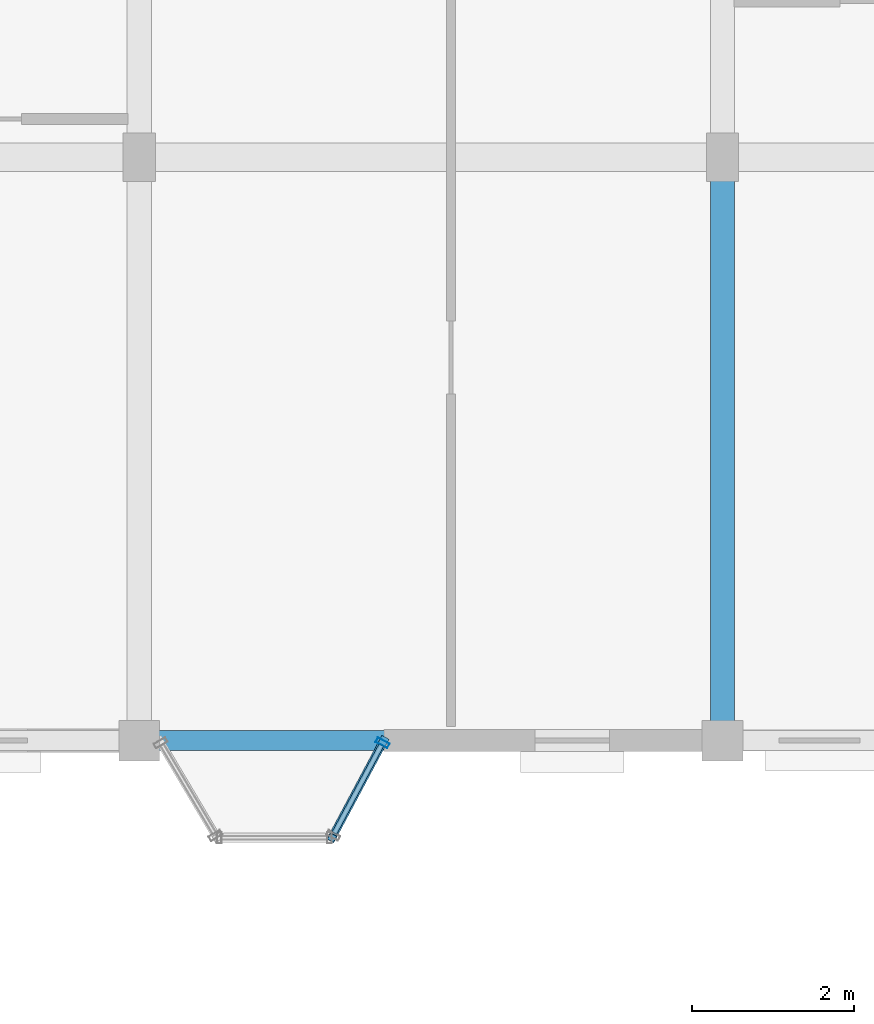
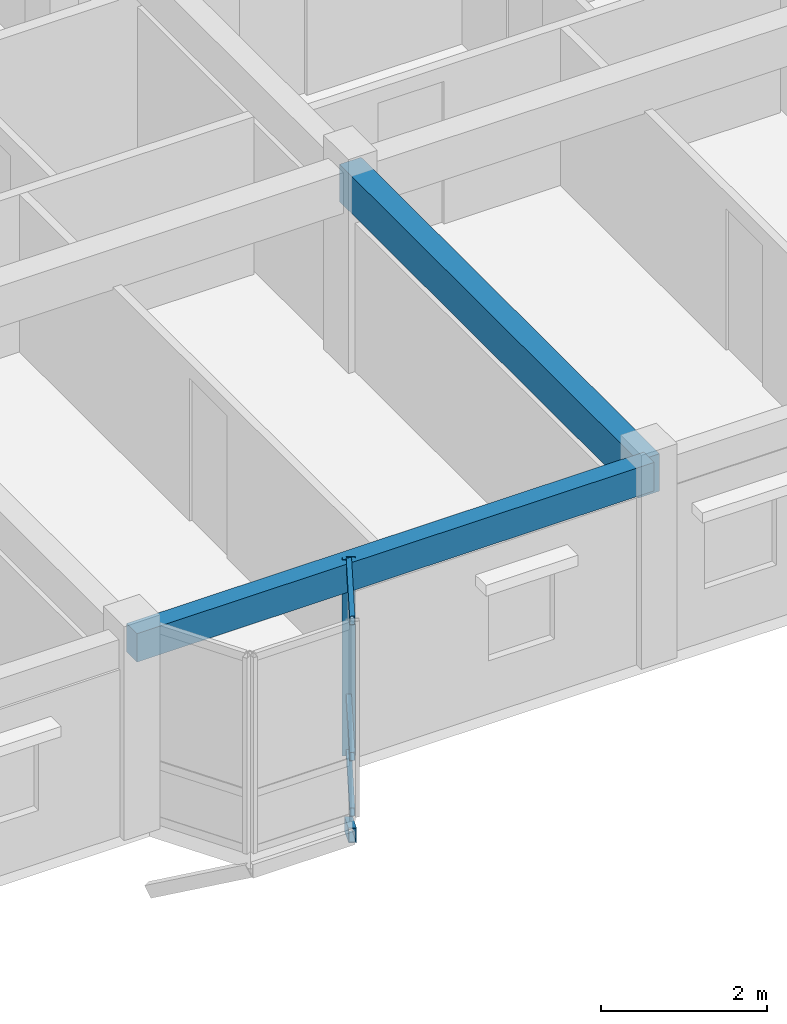
# One storey, part 29 of 64: 5 members, 2 beams, 1 element without a shape of its own.
"""IFC4 building model written with IfcOpenShell, lengths in metres."""

from ifc_helpers import new_model, si_unit, direction, frame, origin, origin_2d, place, context, subcontext, project, spatial, rectangle, hollow_rectangle, extrude, material, layer, layer_set, material_profile, profile_set, type_object, element, aggregate, save


model = new_model("IFC4")

# Units and contexts
model_context = context("Model", 3, precision=1e-05, world=origin(), true_north=direction((0.0, 1.0)))
body_context = subcontext(model_context, "Body", "Model", "MODEL_VIEW")
ifc_project = project(units=[si_unit("LENGTHUNIT", "METRE"), si_unit("AREAUNIT", "SQUARE_METRE"), si_unit("VOLUMEUNIT", "CUBIC_METRE"), si_unit("PLANEANGLEUNIT", "RADIAN"), si_unit("MASSUNIT", "GRAM", prefix="KILO"), si_unit("THERMODYNAMICTEMPERATUREUNIT", "KELVIN"), si_unit("POWERUNIT", "WATT")], contexts=[model_context])

# Site, building, storey
site_placement = place(None, origin())
site = spatial("IfcSite", under=ifc_project, at=site_placement, CompositionType="ELEMENT")
building_placement = place(site_placement, origin())
building = spatial("IfcBuilding", under=site, at=building_placement, Name="Tavuni Mirador Residences", CompositionType="ELEMENT")
storey_placement = place(building_placement, frame((0.0, 0.0, 26.550048828125)))
storey = spatial("IfcBuildingStorey", under=building, at=storey_placement, Name="L08", CompositionType="ELEMENT", Elevation=26.550048828125)

# Beams
ifc_material_1 = material(Name="Precast concrete C40/50", Category="concrete")
ifc_material_profile_1 = material_profile(ifc_material_1, rectangle(XDim=0.300048828125, YDim=0.550048828125, at=origin_2d()), Name="PC 300x550", Category="concrete")
ifc_profile_set_1 = profile_set([ifc_material_profile_1], Name="Precast concrete C40/50")
beam_type_1 = type_object("IfcBeamType", Name="BT-B550", PredefinedType="BEAM", material=ifc_profile_set_1)
beam_1_placement = place(storey_placement, frame((39.60009765625, 144.0, 2.60986328125), z_axis=(0.0, 1.0, 0.0), x_axis=(-1.0, 0.0, 0.0)))
element("IfcBeam", 1, at=beam_1_placement, inside=storey, type_object=beam_type_1, Name="BMY-BLK-C-L08-04-00", PredefinedType="BEAM", context=body_context, shape_type="SweptSolid", body=[
    extrude(rectangle(XDim=0.300048828125, YDim=0.550048828125, at=origin_2d()), origin(), (0.0, 0.0, 1.0), 7.199951171875),
])
ifc_material_profile_2 = material_profile(ifc_material_1, rectangle(XDim=0.25, YDim=0.419921875, at=origin_2d()), Name="PC 250x420", Category="concrete")
ifc_profile_set_2 = profile_set([ifc_material_profile_2], Name="Precast concrete C40/50")
beam_type_2 = type_object("IfcBeamType", Name="BT-SP420", PredefinedType="SPANDREL", material=ifc_profile_set_2)
beam_2_placement = place(storey_placement, frame((32.39990234375, 144.0, 2.675048828125), z_axis=(1.0, 0.0, 0.0), x_axis=(0.0, 1.0, 0.0)))
element("IfcBeam", 2, at=beam_2_placement, inside=storey, type_object=beam_type_2, Name="BMX-BLK-C-L08-03-00", PredefinedType="SPANDREL", context=body_context, shape_type="SweptSolid", body=[
    extrude(rectangle(XDim=0.25, YDim=0.419921875, at=origin_2d()), origin(), (0.0, 0.0, 1.0), 7.2001953125),
])

# Curtain wall, members
ifc_material_2 = material(Name="Anodised aluminium", Category="aluminium")
ifc_layer = layer(ifc_material_2, 0.159912109375, Name="Anodised aluminium", Category="aluminium")
ifc_layer_set = layer_set([ifc_layer], Name="Anodised aluminium")
curtain_wall_type = type_object("IfcCurtainWallType", Name="CWT-MIR-D", PredefinedType="NOTDEFINED", material=ifc_layer_set)
curtain_wall_placement = place(storey_placement, origin())
curtain_wall = element("IfcCurtainWall", 3, at=curtain_wall_placement, inside=storey, type_object=curtain_wall_type, Name="CW-MIR-C-S2-L08-M2", PredefinedType="NOTDEFINED")
ifc_material_profile_3 = material_profile(ifc_material_2, hollow_rectangle(XDim=0.06494140625, YDim=0.1650390625, WallThickness=0.00439453125, at=origin_2d()), Name="ALU 65x165x4.5", Category="aluminium")
ifc_profile_set_3 = profile_set([ifc_material_profile_3], Name="Anodised aluminium")
member_type_1 = type_object("IfcMemberType", Name="CWM-165", PredefinedType="MULLION", material=ifc_profile_set_3)
member_1_placement = place(storey_placement, frame((35.40478515625, 143.971435546875, 0.0), z_axis=(0.0, 0.0, 1.0), x_axis=(0.470588235296, 0.882352941175, 0.0)))
member_1 = element("IfcMember", 4, at=member_1_placement, type_object=member_type_1, Name="CW-04 mullion 2", PredefinedType="MULLION", context=body_context, shape_type="SweptSolid", body=[
    extrude(hollow_rectangle(XDim=0.06494140625, YDim=0.1650390625, WallThickness=0.00439453125, at=origin_2d()), origin(), (0.0, 0.0, 1.0), 2.885009765625),
])
ifc_material_profile_4 = material_profile(ifc_material_2, hollow_rectangle(XDim=0.06494140625, YDim=0.125, WallThickness=0.00439453125, at=origin_2d()), Name="ALU 65x125x4.5", Category="aluminium")
ifc_profile_set_4 = profile_set([ifc_material_profile_4], Name="Anodised aluminium")
member_type_2 = type_object("IfcMemberType", Name="CWT-125", PredefinedType="USERDEFINED", material=ifc_profile_set_4)
member_2_placement = place(storey_placement, frame((34.810546875, 142.857421875, 0.032470703125), z_axis=(0.470639747922, 0.882325465843, 0.0), x_axis=(-0.882325465843, 0.470639747922, 0.0)))
member_2 = element("IfcMember", 5, at=member_2_placement, type_object=member_type_2, Name="CW-04 transom 1.1", ObjectType="TRANSOM", PredefinedType="USERDEFINED", context=body_context, shape_type="SweptSolid", body=[
    extrude(hollow_rectangle(XDim=0.06494140625, YDim=0.125, WallThickness=0.00439453125, at=origin_2d()), origin(), (0.0, 0.0, 1.0), 1.22998046875),
])
member_3_placement = place(storey_placement, frame((34.810546875, 142.857421875, 0.849853515625), z_axis=(0.470639747922, 0.882325465843, 0.0), x_axis=(-0.882325465843, 0.470639747922, 0.0)))
member_3 = element("IfcMember", 6, at=member_3_placement, type_object=member_type_2, Name="CW-04 transom 1.2", ObjectType="TRANSOM", PredefinedType="USERDEFINED", context=body_context, shape_type="SweptSolid", body=[
    extrude(hollow_rectangle(XDim=0.06494140625, YDim=0.125, WallThickness=0.00439453125, at=origin_2d()), origin(), (0.0, 0.0, 1.0), 1.22998046875),
])
member_4_placement = place(storey_placement, frame((34.810546875, 142.857421875, 2.8525390625), z_axis=(0.470639747922, 0.882325465843, 0.0), x_axis=(-0.882325465843, 0.470639747922, 0.0)))
member_4 = element("IfcMember", 7, at=member_4_placement, type_object=member_type_2, Name="CW-04 transom 1.3", ObjectType="TRANSOM", PredefinedType="USERDEFINED", context=body_context, shape_type="SweptSolid", body=[
    extrude(hollow_rectangle(XDim=0.06494140625, YDim=0.125, WallThickness=0.00439453125, at=origin_2d()), origin(), (0.0, 0.0, 1.0), 1.22998046875),
])
aggregate(curtain_wall, [member_1, member_2, member_3, member_4])

# Member
ifc_material_3 = material(Name="Structural steel S355", Category="steel")
ifc_material_profile_5 = material_profile(ifc_material_3, hollow_rectangle(XDim=0.10009765625, YDim=0.179931640625, WallThickness=0.008056640625, at=origin_2d()), Name="RHS 180x100x8.0", Category="steel")
ifc_profile_set_5 = profile_set([ifc_material_profile_5], Name="Structural steel S355")
member_type_3 = type_object("IfcMemberType", Name="MT-BR-RHS180", PredefinedType="BRACE", material=ifc_profile_set_5)
member_5_placement = place(storey_placement, frame((35.419921875, 144.0, -1.050048828125), z_axis=(-0.407530885562, -0.764217589674, 0.499890040855), x_axis=(0.882377788047, -0.47054164445, 0.0)))
element("IfcMember", 8, at=member_5_placement, inside=storey, type_object=member_type_3, Name="MBRK-MIR-C-S2-L08-2", PredefinedType="BRACE", context=body_context, shape_type="SweptSolid", body=[
    extrude(hollow_rectangle(XDim=0.10009765625, YDim=0.179931640625, WallThickness=0.008056640625, at=origin_2d()), origin(), (0.0, 0.0, 1.0), 1.570068359375),
])

save(model, "model.ifc")
